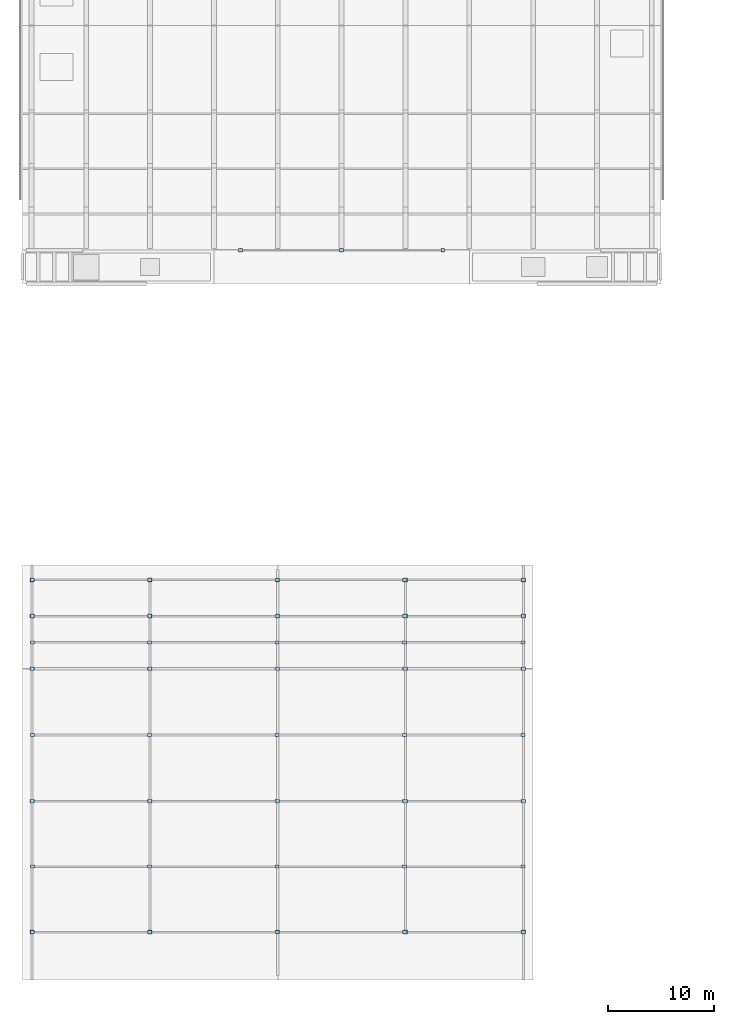
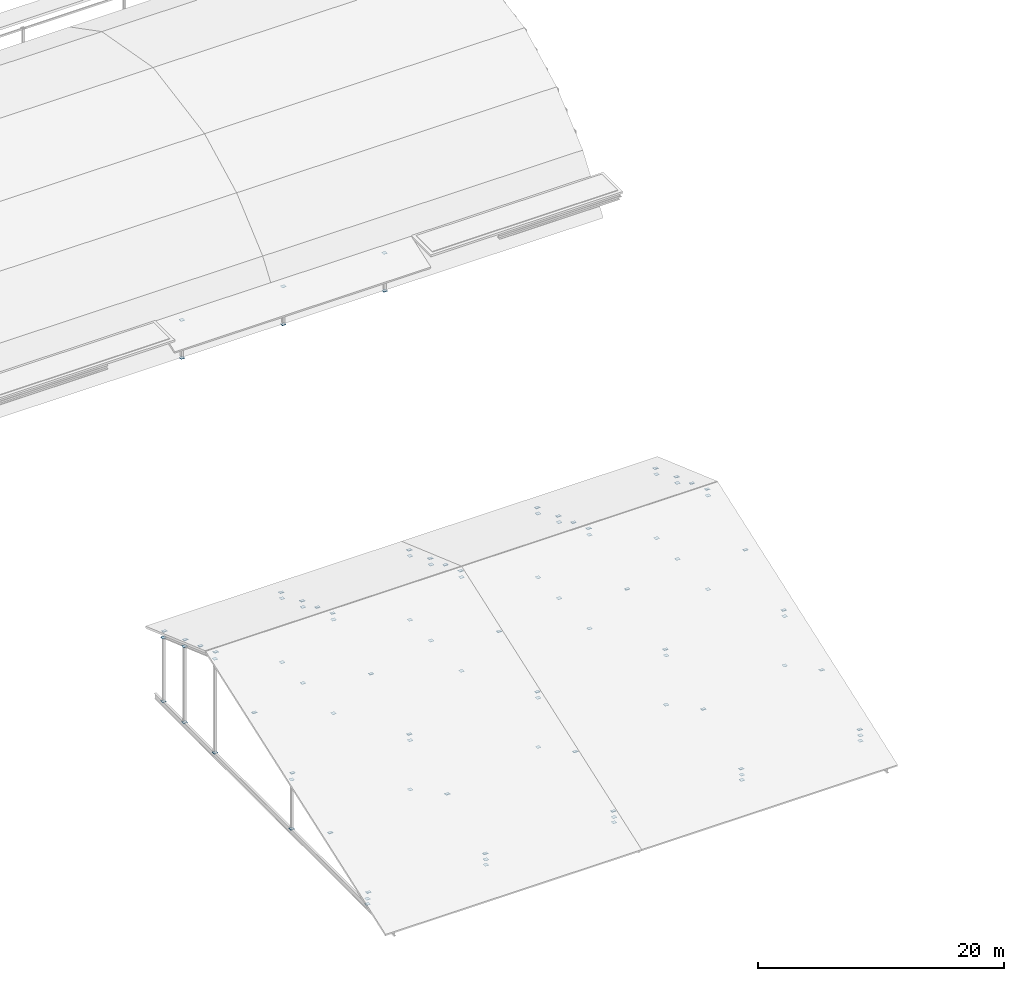
# One storey, part 38 of 42: 96 plates.
"""IFC4 building model written with IfcOpenShell, lengths in metres."""

from ifc_helpers import new_model, si_unit, direction, frame, origin, origin_2d, place, context, subcontext, project, spatial, rectangle, extrude, material, layer, layer_set, type_object, element, save


model = new_model("IFC4")

# Units and contexts
model_context = context("Model", 3, precision=1e-05, world=origin(), true_north=direction((0.0, 1.0)))
body_context = subcontext(model_context, "Body", "Model", "MODEL_VIEW")
ifc_project = project(units=[si_unit("LENGTHUNIT", "METRE"), si_unit("AREAUNIT", "SQUARE_METRE"), si_unit("VOLUMEUNIT", "CUBIC_METRE"), si_unit("PLANEANGLEUNIT", "RADIAN"), si_unit("MASSUNIT", "GRAM", prefix="KILO")], contexts=[model_context])

# Site, building, storey
site_placement = place(None, origin())
site = spatial("IfcSite", under=ifc_project, at=site_placement, CompositionType="ELEMENT")
building_placement = place(site_placement, origin())
building = spatial("IfcBuilding", under=site, at=building_placement, Name="Kelmvaro Bay Concert Hall", CompositionType="ELEMENT")
storey_placement = place(building_placement, frame((0.0, 0.0, 26.699951171875)))
storey = spatial("IfcBuildingStorey", under=building, at=storey_placement, Name="RF", CompositionType="ELEMENT", Elevation=26.699951171875)

# Plates
ifc_material_1 = material(Name="Steel ASTM A572 Grade 50", Category="steel")
ifc_layer_1 = layer(ifc_material_1, 0.01611328125)
ifc_layer_set_1 = layer_set([ifc_layer_1], Name="Steel ASTM A572 Grade 50")
plate_type_1 = type_object("IfcPlateType", Name="CHS Post End Closure Plate 360x360x16", PredefinedType="SHEET", material=ifc_layer_set_1)
for number, where, z_axis, x_axis, name in (
    (1, (0.89990234375, 4.5, -12.930908203125), (0.0, 0.0, 1.0), (1.0, 0.0, 0.0), "STR-V3-001 Base Plate"),
    (2, (0.89990234375, 4.5, -12.408203125), (0.0, 0.0, 1.0), (1.0, 0.0, 0.0), "STR-V3-001 Cap Plate"),
    (3, (0.89990234375, 16.800048828125, -12.930908203125), (0.0, 0.0, 1.0), (1.0, 0.0, 0.0), "STR-V3-002 Base Plate"),
    (4, (0.89990234375, 16.800048828125, -8.052490234375), (0.0, 0.0, 1.0), (1.0, 0.0, 0.0), "STR-V3-002 Cap Plate"),
    (5, (0.89990234375, 29.25, -12.930908203125), (0.0, 0.0, 1.0), (1.0, 0.0, 0.0), "STR-V3-003 Base Plate"),
    (6, (0.89990234375, 29.25, -3.643798828125), (0.0, 0.0, 1.0), (1.0, 0.0, 0.0), "STR-V3-003 Cap Plate"),
    (7, (0.89990234375, 34.199951171875, -12.930908203125), (0.0, 0.0, 1.0), (1.0, 0.0, 0.0), "STR-V3-004 Base Plate"),
    (8, (0.89990234375, 34.199951171875, -5.396728515625), (0.0, 0.0, 1.0), (1.0, 0.0, 0.0), "STR-V3-004 Cap Plate"),
    (9, (0.89990234375, 37.60009765625, -12.930908203125), (0.0, 0.0, 1.0), (1.0, 0.0, 0.0), "STR-V3-005 Base Plate"),
    (10, (0.89990234375, 37.60009765625, -6.6005859375), (0.0, 0.0, 1.0), (1.0, 0.0, 0.0), "STR-V3-005 Cap Plate"),
    (11, (12.0, 4.5, -12.930908203125), (0.0, 0.0, 1.0), (1.0, 0.0, 0.0), "STR-V3-006 Base Plate"),
    (12, (12.0, 4.5, -12.408203125), (0.0, 0.0, 1.0), (1.0, 0.0, 0.0), "STR-V3-006 Cap Plate"),
    (13, (12.0, 16.800048828125, -12.930908203125), (0.0, 0.0, 1.0), (1.0, 0.0, 0.0), "STR-V3-007 Base Plate"),
    (14, (12.0, 16.800048828125, -8.052490234375), (0.0, 0.0, 1.0), (1.0, 0.0, 0.0), "STR-V3-007 Cap Plate"),
    (15, (12.0, 29.25, -12.930908203125), (0.0, 0.0, 1.0), (1.0, 0.0, 0.0), "STR-V3-008 Base Plate"),
    (16, (12.0, 29.25, -3.643798828125), (0.0, 0.0, 1.0), (1.0, 0.0, 0.0), "STR-V3-008 Cap Plate"),
    (17, (12.0, 34.199951171875, -12.930908203125), (0.0, 0.0, 1.0), (1.0, 0.0, 0.0), "STR-V3-009 Base Plate"),
    (18, (12.0, 34.199951171875, -5.396728515625), (0.0, 0.0, 1.0), (1.0, 0.0, 0.0), "STR-V3-009 Cap Plate"),
    (19, (12.0, 37.60009765625, -12.930908203125), (0.0, 0.0, 1.0), (1.0, 0.0, 0.0), "STR-V3-010 Base Plate"),
    (20, (12.0, 37.60009765625, -6.6005859375), (0.0, 0.0, 1.0), (1.0, 0.0, 0.0), "STR-V3-010 Cap Plate"),
    (21, (24.0, 4.5, -12.930908203125), (0.0, 0.0, 1.0), (1.0, 0.0, 0.0), "STR-V3-011 Base Plate"),
    (22, (24.0, 4.5, -12.408203125), (0.0, 0.0, 1.0), (1.0, 0.0, 0.0), "STR-V3-011 Cap Plate"),
    (23, (24.0, 16.800048828125, -12.930908203125), (0.0, 0.0, 1.0), (1.0, 0.0, 0.0), "STR-V3-012 Base Plate"),
    (24, (24.0, 16.800048828125, -8.052490234375), (0.0, 0.0, 1.0), (1.0, 0.0, 0.0), "STR-V3-012 Cap Plate"),
    (25, (24.0, 29.25, -12.930908203125), (0.0, 0.0, 1.0), (1.0, 0.0, 0.0), "STR-V3-013 Base Plate"),
    (26, (24.0, 29.25, -3.643798828125), (0.0, 0.0, 1.0), (1.0, 0.0, 0.0), "STR-V3-013 Cap Plate"),
    (27, (24.0, 34.199951171875, -12.930908203125), (0.0, 0.0, 1.0), (1.0, 0.0, 0.0), "STR-V3-014 Base Plate"),
    (28, (24.0, 34.199951171875, -5.396728515625), (0.0, 0.0, 1.0), (1.0, 0.0, 0.0), "STR-V3-014 Cap Plate"),
    (29, (24.0, 37.60009765625, -12.930908203125), (0.0, 0.0, 1.0), (1.0, 0.0, 0.0), "STR-V3-015 Base Plate"),
    (30, (24.0, 37.60009765625, -6.6005859375), (0.0, 0.0, 1.0), (1.0, 0.0, 0.0), "STR-V3-015 Cap Plate"),
    (31, (36.0, 4.5, -12.930908203125), (0.0, 0.0, 1.0), (1.0, 0.0, 0.0), "STR-V3-016 Base Plate"),
    (32, (36.0, 4.5, -12.408203125), (0.0, 0.0, 1.0), (1.0, 0.0, 0.0), "STR-V3-016 Cap Plate"),
    (33, (36.0, 16.800048828125, -12.930908203125), (0.0, 0.0, 1.0), (1.0, 0.0, 0.0), "STR-V3-017 Base Plate"),
    (34, (36.0, 16.800048828125, -8.052490234375), (0.0, 0.0, 1.0), (1.0, 0.0, 0.0), "STR-V3-017 Cap Plate"),
    (35, (36.0, 29.25, -12.930908203125), (0.0, 0.0, 1.0), (1.0, 0.0, 0.0), "STR-V3-018 Base Plate"),
    (36, (36.0, 29.25, -3.643798828125), (0.0, 0.0, 1.0), (1.0, 0.0, 0.0), "STR-V3-018 Cap Plate"),
    (37, (36.0, 34.199951171875, -12.930908203125), (0.0, 0.0, 1.0), (1.0, 0.0, 0.0), "STR-V3-019 Base Plate"),
    (38, (36.0, 34.199951171875, -5.396728515625), (0.0, 0.0, 1.0), (1.0, 0.0, 0.0), "STR-V3-019 Cap Plate"),
    (39, (36.0, 37.60009765625, -12.930908203125), (0.0, 0.0, 1.0), (1.0, 0.0, 0.0), "STR-V3-020 Base Plate"),
    (40, (36.0, 37.60009765625, -6.6005859375), (0.0, 0.0, 1.0), (1.0, 0.0, 0.0), "STR-V3-020 Cap Plate"),
    (41, (47.10009765625, 4.5, -12.930908203125), (0.0, 0.0, 1.0), (1.0, 0.0, 0.0), "STR-V3-021 Base Plate"),
    (42, (47.10009765625, 4.5, -12.408203125), (0.0, 0.0, 1.0), (1.0, 0.0, 0.0), "STR-V3-021 Cap Plate"),
    (43, (47.10009765625, 16.800048828125, -12.930908203125), (0.0, 0.0, 1.0), (1.0, 0.0, 0.0), "STR-V3-022 Base Plate"),
    (44, (47.10009765625, 16.800048828125, -8.052490234375), (0.0, 0.0, 1.0), (1.0, 0.0, 0.0), "STR-V3-022 Cap Plate"),
    (45, (47.10009765625, 29.25, -12.930908203125), (0.0, 0.0, 1.0), (1.0, 0.0, 0.0), "STR-V3-023 Base Plate"),
    (46, (47.10009765625, 29.25, -3.643798828125), (0.0, 0.0, 1.0), (1.0, 0.0, 0.0), "STR-V3-023 Cap Plate"),
    (47, (47.10009765625, 34.199951171875, -12.930908203125), (0.0, 0.0, 1.0), (1.0, 0.0, 0.0), "STR-V3-024 Base Plate"),
    (48, (47.10009765625, 34.199951171875, -5.396728515625), (0.0, 0.0, 1.0), (1.0, 0.0, 0.0), "STR-V3-024 Cap Plate"),
    (49, (47.10009765625, 37.60009765625, -12.930908203125), (0.0, 0.0, 1.0), (1.0, 0.0, 0.0), "STR-V3-025 Base Plate"),
    (50, (47.10009765625, 37.60009765625, -6.6005859375), (0.0, 0.0, 1.0), (1.0, 0.0, 0.0), "STR-V3-025 Cap Plate"),
    (51, (20.5, 68.580078125, -4.531005859375), (0.0, 0.0, 1.0), (1.0, 0.0, 0.0), "STR-V1SH-066 Base Plate"),
    (52, (20.5, 68.580078125, -0.780029296875), (0.0, 0.0, 1.0), (1.0, 0.0, 0.0), "STR-V1SH-066 Cap Plate"),
    (53, (30.0, 68.580078125, -4.531005859375), (0.0, 0.0, 1.0), (1.0, 0.0, 0.0), "STR-V1SH-067 Base Plate"),
    (54, (30.0, 68.580078125, -0.780029296875), (0.0, 0.0, 1.0), (1.0, 0.0, 0.0), "STR-V1SH-067 Cap Plate"),
    (55, (39.5, 68.580078125, -4.531005859375), (0.0, 0.0, 1.0), (1.0, 0.0, 0.0), "STR-V1SH-068 Base Plate"),
    (56, (39.5, 68.580078125, -0.780029296875), (0.0, 0.0, 1.0), (1.0, 0.0, 0.0), "STR-V1SH-068 Cap Plate"),
):
    element("IfcPlate", number, at=place(storey_placement, frame(where, z_axis=z_axis, x_axis=x_axis)), inside=storey, type_object=plate_type_1, Name=name, PredefinedType="SHEET", context=body_context, shape_type="SweptSolid", body=[
        extrude(rectangle(XDim=0.360107421875, YDim=0.360107421875, at=origin_2d()), origin(), (0.0, 0.0, 1.0), 0.01611328125),
    ])
ifc_material_2 = material(Name="Steel ASTM A572 Grade 50", Category="steel")
ifc_layer_2 = layer(ifc_material_2, 0.02001953125)
ifc_layer_set_2 = layer_set([ifc_layer_2], Name="Steel ASTM A572 Grade 50")
plate_type_2 = type_object("IfcPlateType", Name="HSS Purlin End Closure Plate 380x280x20", PredefinedType="SHEET", material=ifc_layer_set_2)
for number, where, z_axis, x_axis, name in (
    (57, (0.971923828125, 4.5, -11.783203125), (0.0, 0.0, 1.0), (1.0, 0.0, 0.0), "V3 Crystal Roof Purlin 001 End Cap Plate 1 (ND-04)"),
    (58, (11.927978515625, 4.5, -11.783203125), (0.0, 0.0, 1.0), (1.0, 0.0, 0.0), "V3 Crystal Roof Purlin 001 End Cap Plate 2 (ND-04)"),
    (59, (23.927978515625, 4.5, -11.783203125), (0.0, 0.0, 1.0), (1.0, 0.0, 0.0), "V3 Crystal Roof Purlin 002 End Cap Plate 2 (ND-04)"),
    (60, (35.927978515625, 4.5, -11.783203125), (0.0, 0.0, 1.0), (1.0, 0.0, 0.0), "V3 Crystal Roof Purlin 003 End Cap Plate 2 (ND-04)"),
    (61, (47.028076171875, 4.5, -11.783203125), (0.0, 0.0, 1.0), (1.0, 0.0, 0.0), "V3 Crystal Roof Purlin 004 End Cap Plate 2 (ND-04)"),
    (62, (0.971923828125, 10.64990234375, -9.60546875), (0.0, 0.0, 1.0), (1.0, 0.0, 0.0), "V3 Crystal Roof Purlin 005 End Cap Plate 1 (ND-04)"),
    (63, (11.927978515625, 10.64990234375, -9.60546875), (0.0, 0.0, 1.0), (1.0, 0.0, 0.0), "V3 Crystal Roof Purlin 005 End Cap Plate 2 (ND-04)"),
    (64, (23.927978515625, 10.64990234375, -9.60546875), (0.0, 0.0, 1.0), (1.0, 0.0, 0.0), "V3 Crystal Roof Purlin 006 End Cap Plate 2 (ND-04)"),
    (65, (35.927978515625, 10.64990234375, -9.60546875), (0.0, 0.0, 1.0), (1.0, 0.0, 0.0), "V3 Crystal Roof Purlin 007 End Cap Plate 2 (ND-04)"),
    (66, (47.028076171875, 10.64990234375, -9.60546875), (0.0, 0.0, 1.0), (1.0, 0.0, 0.0), "V3 Crystal Roof Purlin 008 End Cap Plate 2 (ND-04)"),
    (67, (0.971923828125, 16.800048828125, -7.41259765625), (0.0, 0.0, 1.0), (1.0, 0.0, 0.0), "V3 Crystal Roof Purlin 009 End Cap Plate 1 (ND-04)"),
    (68, (11.927978515625, 16.800048828125, -7.41259765625), (0.0, 0.0, 1.0), (1.0, 0.0, 0.0), "V3 Crystal Roof Purlin 009 End Cap Plate 2 (ND-04)"),
    (69, (23.927978515625, 16.800048828125, -7.41259765625), (0.0, 0.0, 1.0), (1.0, 0.0, 0.0), "V3 Crystal Roof Purlin 010 End Cap Plate 2 (ND-04)"),
    (70, (35.927978515625, 16.800048828125, -7.41259765625), (0.0, 0.0, 1.0), (1.0, 0.0, 0.0), "V3 Crystal Roof Purlin 011 End Cap Plate 2 (ND-04)"),
    (71, (47.028076171875, 16.800048828125, -7.41259765625), (0.0, 0.0, 1.0), (1.0, 0.0, 0.0), "V3 Crystal Roof Purlin 012 End Cap Plate 2 (ND-04)"),
    (72, (0.971923828125, 23.02490234375, -5.208251953125), (0.0, 0.0, 1.0), (1.0, 0.0, 0.0), "V3 Crystal Roof Purlin 013 End Cap Plate 1 (ND-04)"),
    (73, (11.927978515625, 23.02490234375, -5.208251953125), (0.0, 0.0, 1.0), (1.0, 0.0, 0.0), "V3 Crystal Roof Purlin 013 End Cap Plate 2 (ND-04)"),
    (74, (23.927978515625, 23.02490234375, -5.208251953125), (0.0, 0.0, 1.0), (1.0, 0.0, 0.0), "V3 Crystal Roof Purlin 014 End Cap Plate 2 (ND-04)"),
    (75, (35.927978515625, 23.02490234375, -5.208251953125), (0.0, 0.0, 1.0), (1.0, 0.0, 0.0), "V3 Crystal Roof Purlin 015 End Cap Plate 2 (ND-04)"),
    (76, (47.028076171875, 23.02490234375, -5.208251953125), (0.0, 0.0, 1.0), (1.0, 0.0, 0.0), "V3 Crystal Roof Purlin 016 End Cap Plate 2 (ND-04)"),
    (77, (0.971923828125, 29.25, -2.978759765625), (0.0, 0.0, 1.0), (1.0, 0.0, 0.0), "V3 Crystal Roof Purlin 017 End Cap Plate 1 (ND-04)"),
    (78, (11.927978515625, 29.25, -2.978759765625), (0.0, 0.0, 1.0), (1.0, 0.0, 0.0), "V3 Crystal Roof Purlin 017 End Cap Plate 2 (ND-04)"),
    (79, (23.927978515625, 29.25, -2.978759765625), (0.0, 0.0, 1.0), (1.0, 0.0, 0.0), "V3 Crystal Roof Purlin 018 End Cap Plate 2 (ND-04)"),
    (80, (35.927978515625, 29.25, -2.978759765625), (0.0, 0.0, 1.0), (1.0, 0.0, 0.0), "V3 Crystal Roof Purlin 019 End Cap Plate 2 (ND-04)"),
    (81, (47.028076171875, 29.25, -2.978759765625), (0.0, 0.0, 1.0), (1.0, 0.0, 0.0), "V3 Crystal Roof Purlin 020 End Cap Plate 2 (ND-04)"),
    (82, (0.971923828125, 31.72509765625, -3.880126953125), (0.0, 0.0, 1.0), (1.0, 0.0, 0.0), "V3 Crystal Roof Purlin 021 End Cap Plate 1 (ND-04)"),
    (83, (11.927978515625, 31.72509765625, -3.880126953125), (0.0, 0.0, 1.0), (1.0, 0.0, 0.0), "V3 Crystal Roof Purlin 021 End Cap Plate 2 (ND-04)"),
    (84, (23.927978515625, 31.72509765625, -3.880126953125), (0.0, 0.0, 1.0), (1.0, 0.0, 0.0), "V3 Crystal Roof Purlin 022 End Cap Plate 2 (ND-04)"),
    (85, (35.927978515625, 31.72509765625, -3.880126953125), (0.0, 0.0, 1.0), (1.0, 0.0, 0.0), "V3 Crystal Roof Purlin 023 End Cap Plate 2 (ND-04)"),
    (86, (47.028076171875, 31.72509765625, -3.880126953125), (0.0, 0.0, 1.0), (1.0, 0.0, 0.0), "V3 Crystal Roof Purlin 024 End Cap Plate 2 (ND-04)"),
    (87, (0.971923828125, 34.199951171875, -4.756591796875), (0.0, 0.0, 1.0), (1.0, 0.0, 0.0), "V3 Crystal Roof Purlin 025 End Cap Plate 1 (ND-04)"),
    (88, (11.927978515625, 34.199951171875, -4.756591796875), (0.0, 0.0, 1.0), (1.0, 0.0, 0.0), "V3 Crystal Roof Purlin 025 End Cap Plate 2 (ND-04)"),
    (89, (23.927978515625, 34.199951171875, -4.756591796875), (0.0, 0.0, 1.0), (1.0, 0.0, 0.0), "V3 Crystal Roof Purlin 026 End Cap Plate 2 (ND-04)"),
    (90, (35.927978515625, 34.199951171875, -4.756591796875), (0.0, 0.0, 1.0), (1.0, 0.0, 0.0), "V3 Crystal Roof Purlin 027 End Cap Plate 2 (ND-04)"),
    (91, (47.028076171875, 34.199951171875, -4.756591796875), (0.0, 0.0, 1.0), (1.0, 0.0, 0.0), "V3 Crystal Roof Purlin 028 End Cap Plate 2 (ND-04)"),
    (92, (0.971923828125, 37.60009765625, -5.9755859375), (0.0, 0.0, 1.0), (1.0, 0.0, 0.0), "V3 Crystal Roof Purlin 029 End Cap Plate 1 (ND-04)"),
    (93, (11.927978515625, 37.60009765625, -5.9755859375), (0.0, 0.0, 1.0), (1.0, 0.0, 0.0), "V3 Crystal Roof Purlin 029 End Cap Plate 2 (ND-04)"),
    (94, (23.927978515625, 37.60009765625, -5.9755859375), (0.0, 0.0, 1.0), (1.0, 0.0, 0.0), "V3 Crystal Roof Purlin 030 End Cap Plate 2 (ND-04)"),
    (95, (35.927978515625, 37.60009765625, -5.9755859375), (0.0, 0.0, 1.0), (1.0, 0.0, 0.0), "V3 Crystal Roof Purlin 031 End Cap Plate 2 (ND-04)"),
    (96, (47.028076171875, 37.60009765625, -5.9755859375), (0.0, 0.0, 1.0), (1.0, 0.0, 0.0), "V3 Crystal Roof Purlin 032 End Cap Plate 2 (ND-04)"),
):
    element("IfcPlate", number, at=place(storey_placement, frame(where, z_axis=z_axis, x_axis=x_axis)), inside=storey, type_object=plate_type_2, Name=name, PredefinedType="SHEET", context=body_context, shape_type="SweptSolid", body=[
        extrude(rectangle(XDim=0.3798828125, YDim=0.280029296875, at=origin_2d()), origin(), (0.0, 0.0, 1.0), 0.02001953125),
    ])

save(model, "model.ifc")
